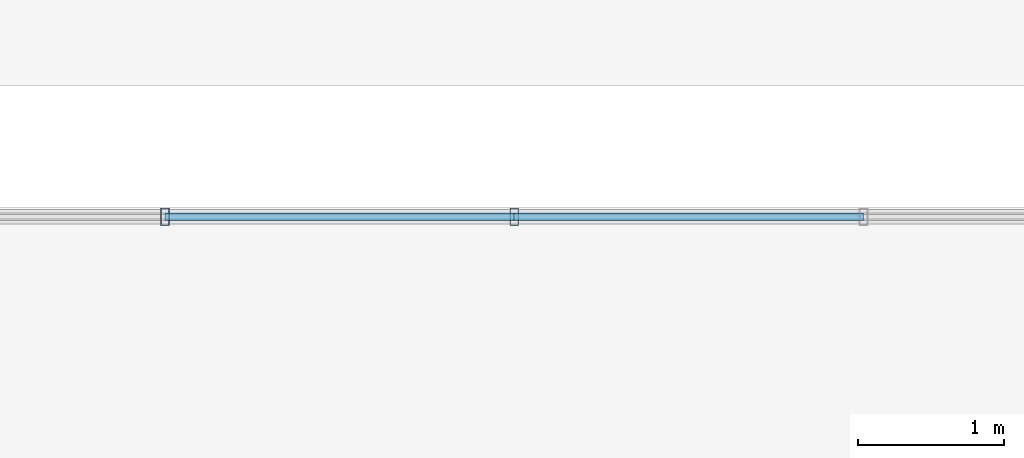
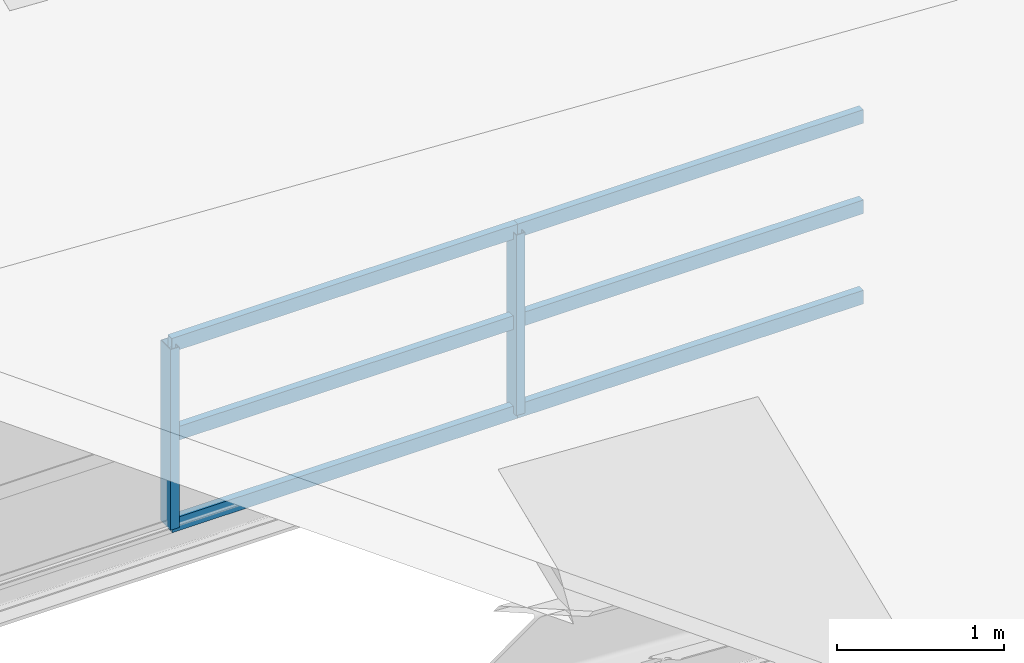
# One storey, part 109 of 141: 8 members, 1 element without a shape of its own.
"""IFC4 building model written with IfcOpenShell, lengths in metres."""

from ifc_helpers import new_model, si_unit, direction, frame, origin, origin_2d, place, context, subcontext, project, spatial, hollow_rectangle, extrude, material, material_profile, profile_set, type_object, element, aggregate, save


model = new_model("IFC4")

# Units and contexts
model_context = context("Model", 3, precision=1e-05, world=origin(), true_north=direction((0.0, 1.0)))
body_context = subcontext(model_context, "Body", "Model", "MODEL_VIEW")
ifc_project = project(units=[si_unit("LENGTHUNIT", "METRE"), si_unit("AREAUNIT", "SQUARE_METRE"), si_unit("VOLUMEUNIT", "CUBIC_METRE"), si_unit("PLANEANGLEUNIT", "RADIAN"), si_unit("MASSUNIT", "GRAM", prefix="KILO")], contexts=[model_context])

# Site, building, storey
site_placement = place(None, origin())
site = spatial("IfcSite", under=ifc_project, at=site_placement, CompositionType="ELEMENT")
building_placement = place(site_placement, origin())
building = spatial("IfcBuilding", under=site, at=building_placement, Name="Sundkrona Museum", CompositionType="ELEMENT")
storey_placement = place(building_placement, frame((0.0, 0.0, 34.0)))
storey = spatial("IfcBuildingStorey", under=building, at=storey_placement, Name="RF", CompositionType="ELEMENT", Elevation=34.0)

# Curtain wall, members
ifc_material_1 = material(Name="Unitised Aluminium-Steel and Ceramic-Clad Curtain Walling", Category="steel")
curtain_wall_type = type_object("IfcCurtainWallType", Name="CW-SW-240x13", PredefinedType="NOTDEFINED", material=ifc_material_1)
curtain_wall_placement = place(storey_placement, origin())
curtain_wall = element("IfcCurtainWall", 1, at=curtain_wall_placement, inside=storey, type_object=curtain_wall_type, Name="Sawtooth Bay 5 East North-Light Clerestory", PredefinedType="NOTDEFINED")
ifc_material_2 = material(Name="Aluminium EN AW-6060 T66", Category="aluminium")
ifc_material_profile_1 = material_profile(ifc_material_2, hollow_rectangle(XDim=0.06005859375, YDim=0.1201171875, WallThickness=0.0048828125, at=origin_2d()), Name="RHS 120x60x5.0")
ifc_profile_set_1 = profile_set([ifc_material_profile_1], Name="Aluminium EN AW-6060 T66")
member_type_1 = type_object("IfcMemberType", Name="ML-120", PredefinedType="MULLION", material=ifc_profile_set_1)
member_1_placement = place(storey_placement, frame((153.610107421875, 34.60009765625, 3.89306640625), z_axis=(0.0, 0.0, 1.0), x_axis=(1.0, 0.0, 0.0)))
member_1 = element("IfcMember", 2, at=member_1_placement, type_object=member_type_1, Name="CW-RF-SAW-05E Mullion 05", PredefinedType="MULLION", context=body_context, shape_type="SweptSolid", body=[
    extrude(hollow_rectangle(XDim=0.06005859375, YDim=0.1201171875, WallThickness=0.0048828125, at=origin_2d()), origin(), (0.0, 0.0, 1.0), 1.31982421875),
])
member_2_placement = place(storey_placement, frame((156.0, 34.60009765625, 3.89306640625), z_axis=(0.0, 0.0, 1.0), x_axis=(1.0, 0.0, 0.0)))
member_2 = element("IfcMember", 3, at=member_2_placement, type_object=member_type_1, Name="CW-RF-SAW-05E Mullion 06", PredefinedType="MULLION", context=body_context, shape_type="SweptSolid", body=[
    extrude(hollow_rectangle(XDim=0.06005859375, YDim=0.1201171875, WallThickness=0.0048828125, at=origin_2d()), origin(), (0.0, 0.0, 1.0), 1.31982421875),
])
ifc_material_profile_2 = material_profile(ifc_material_2, hollow_rectangle(XDim=0.050048828125, YDim=0.10009765625, WallThickness=0.0048828125, at=origin_2d()), Name="RHS 100x50x5.0")
ifc_profile_set_2 = profile_set([ifc_material_profile_2], Name="Aluminium EN AW-6060 T66")
member_type_2 = type_object("IfcMemberType", Name="TR-100", PredefinedType="USERDEFINED", material=ifc_profile_set_2)
member_3_placement = place(storey_placement, frame((153.610107421875, 34.60009765625, 3.89306640625), z_axis=(1.0, 0.0, 0.0), x_axis=(0.0, 1.0, 0.0)))
member_3 = element("IfcMember", 4, at=member_3_placement, type_object=member_type_2, Name="CW-RF-SAW-05E Transom 13", ObjectType="TRANSOM", PredefinedType="USERDEFINED", context=body_context, shape_type="SweptSolid", body=[
    extrude(hollow_rectangle(XDim=0.050048828125, YDim=0.10009765625, WallThickness=0.0048828125, at=origin_2d()), origin(), (0.0, 0.0, 1.0), 2.389892578125),
])
member_4_placement = place(storey_placement, frame((153.610107421875, 34.60009765625, 4.552978515625), z_axis=(1.0, 0.0, 0.0), x_axis=(0.0, 1.0, 0.0)))
member_4 = element("IfcMember", 5, at=member_4_placement, type_object=member_type_2, Name="CW-RF-SAW-05E Transom 14", ObjectType="TRANSOM", PredefinedType="USERDEFINED", context=body_context, shape_type="SweptSolid", body=[
    extrude(hollow_rectangle(XDim=0.050048828125, YDim=0.10009765625, WallThickness=0.0048828125, at=origin_2d()), origin(), (0.0, 0.0, 1.0), 2.389892578125),
])
member_5_placement = place(storey_placement, frame((153.610107421875, 34.60009765625, 5.212890625), z_axis=(1.0, 0.0, 0.0), x_axis=(0.0, 1.0, 0.0)))
member_5 = element("IfcMember", 6, at=member_5_placement, type_object=member_type_2, Name="CW-RF-SAW-05E Transom 15", ObjectType="TRANSOM", PredefinedType="USERDEFINED", context=body_context, shape_type="SweptSolid", body=[
    extrude(hollow_rectangle(XDim=0.050048828125, YDim=0.10009765625, WallThickness=0.0048828125, at=origin_2d()), origin(), (0.0, 0.0, 1.0), 2.389892578125),
])
member_6_placement = place(storey_placement, frame((156.0, 34.60009765625, 3.89306640625), z_axis=(1.0, 0.0, 0.0), x_axis=(0.0, 1.0, 0.0)))
member_6 = element("IfcMember", 7, at=member_6_placement, type_object=member_type_2, Name="CW-RF-SAW-05E Transom 16", ObjectType="TRANSOM", PredefinedType="USERDEFINED", context=body_context, shape_type="SweptSolid", body=[
    extrude(hollow_rectangle(XDim=0.050048828125, YDim=0.10009765625, WallThickness=0.0048828125, at=origin_2d()), origin(), (0.0, 0.0, 1.0), 2.389892578125),
])
member_7_placement = place(storey_placement, frame((156.0, 34.60009765625, 4.552978515625), z_axis=(1.0, 0.0, 0.0), x_axis=(0.0, 1.0, 0.0)))
member_7 = element("IfcMember", 8, at=member_7_placement, type_object=member_type_2, Name="CW-RF-SAW-05E Transom 17", ObjectType="TRANSOM", PredefinedType="USERDEFINED", context=body_context, shape_type="SweptSolid", body=[
    extrude(hollow_rectangle(XDim=0.050048828125, YDim=0.10009765625, WallThickness=0.0048828125, at=origin_2d()), origin(), (0.0, 0.0, 1.0), 2.389892578125),
])
member_8_placement = place(storey_placement, frame((156.0, 34.60009765625, 5.212890625), z_axis=(1.0, 0.0, 0.0), x_axis=(0.0, 1.0, 0.0)))
member_8 = element("IfcMember", 9, at=member_8_placement, type_object=member_type_2, Name="CW-RF-SAW-05E Transom 18", ObjectType="TRANSOM", PredefinedType="USERDEFINED", context=body_context, shape_type="SweptSolid", body=[
    extrude(hollow_rectangle(XDim=0.050048828125, YDim=0.10009765625, WallThickness=0.0048828125, at=origin_2d()), origin(), (0.0, 0.0, 1.0), 2.389892578125),
])
aggregate(curtain_wall, [member_1, member_2, member_3, member_4, member_5, member_6, member_7, member_8])

save(model, "model.ifc")
